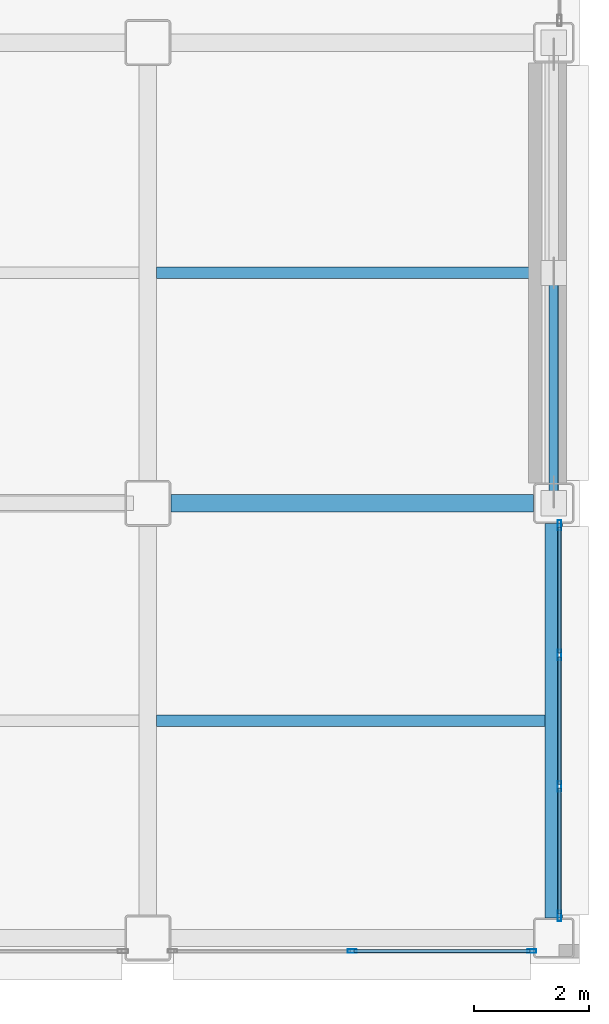
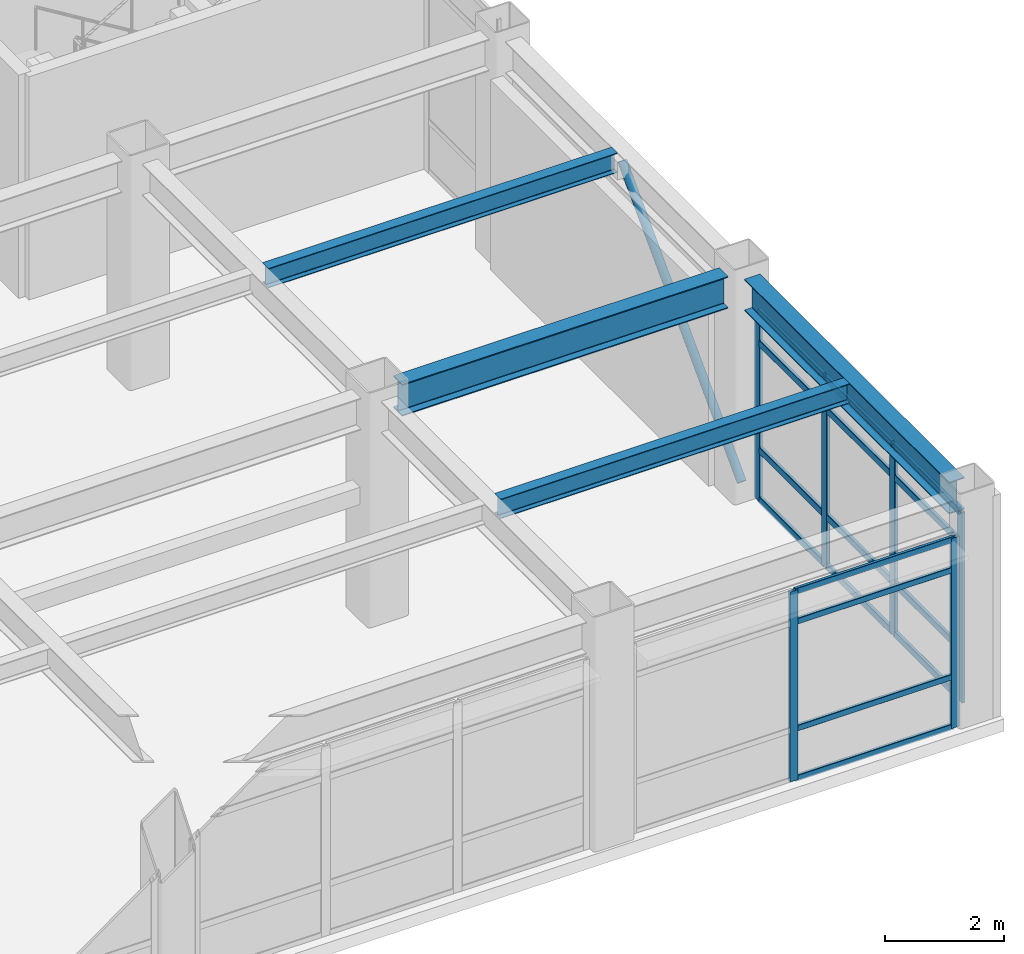
# One storey, part 87 of 154: 23 members, 4 beams, 2 elements without a shape of their own.
"""IFC4 building model written with IfcOpenShell, lengths in metres."""

from ifc_helpers import new_model, si_unit, direction, frame, origin, origin_2d, place, context, subcontext, project, spatial, hollow_rectangle, hollow_circle, i_section, extrude, material, layer, layer_set, material_profile, profile_set, type_object, element, aggregate, save


model = new_model("IFC4")

# Units and contexts
model_context = context("Model", 3, precision=1e-05, world=origin(), true_north=direction((0.0, 1.0)))
body_context = subcontext(model_context, "Body", "Model", "MODEL_VIEW")
ifc_project = project(units=[si_unit("LENGTHUNIT", "METRE"), si_unit("AREAUNIT", "SQUARE_METRE"), si_unit("VOLUMEUNIT", "CUBIC_METRE"), si_unit("PLANEANGLEUNIT", "RADIAN"), si_unit("MASSUNIT", "GRAM", prefix="KILO")], contexts=[model_context])

# Site, building, storey
site_placement = place(None, origin())
site = spatial("IfcSite", under=ifc_project, at=site_placement, CompositionType="ELEMENT")
building_placement = place(site_placement, origin())
building = spatial("IfcBuilding", under=site, at=building_placement, Name="Kazehara Bluff Congress Hotel", CompositionType="ELEMENT")
storey_placement = place(building_placement, frame((0.0, 0.0, 10.199951171875)))
storey = spatial("IfcBuildingStorey", under=building, at=storey_placement, Name="L02", CompositionType="ELEMENT", Elevation=10.199951171875)

# Member
ifc_material_1 = material(Name="Steel STK490", Category="steel")
ifc_material_profile_1 = material_profile(ifc_material_1, hollow_circle(Radius=0.08251953125, WallThickness=0.007080078125, at=origin_2d()))
ifc_profile_set_1 = profile_set([ifc_material_profile_1], Name="Steel STK490")
member_type_1 = type_object("IfcMemberType", Name="TP-BR-02", PredefinedType="BRACE", material=ifc_profile_set_1)
member_1_placement = place(storey_placement, frame((167.550048828125, 8.0, 0.150146484375), z_axis=(0.0, 0.695275793679, 0.718743049166), x_axis=(-1.0, 0.0, 0.0)))
element("IfcMember", 1, at=member_1_placement, inside=storey, type_object=member_type_1, Name="L02 chevron brace BR-02 3", PredefinedType="BRACE", context=body_context, shape_type="SweptSolid", body=[
    extrude(hollow_circle(Radius=0.08251953125, WallThickness=0.007080078125, at=origin_2d()), origin(), (0.0, 0.0, 1.0), 5.753173828125),
])

# Curtain wall, members
ifc_material_2 = material(Name="Anodised aluminium", Category="aluminium")
ifc_layer_1 = layer(ifc_material_2, 0.159912109375)
ifc_layer_set_1 = layer_set([ifc_layer_1], Name="Anodised aluminium")
curtain_wall_type_1 = type_object("IfcCurtainWallType", Name="TP-CW-112", PredefinedType="NOTDEFINED", material=ifc_layer_set_1)
curtain_wall_1_placement = place(storey_placement, origin())
curtain_wall_1 = element("IfcCurtainWall", 2, at=curtain_wall_1_placement, inside=storey, type_object=curtain_wall_type_1, Name="L02 curtain wall CW-112 CW-ENC-V5-L02-16405-22", PredefinedType="NOTDEFINED")
ifc_material_3 = material(Name="Anodised aluminium", Category="aluminium")
ifc_material_profile_2 = material_profile(ifc_material_3, hollow_rectangle(XDim=0.06005859375, YDim=0.159912109375, WallThickness=0.00390625, InnerFilletRadius=0.00390625, OuterFilletRadius=0.008056640625, at=origin_2d()))
ifc_profile_set_2 = profile_set([ifc_material_profile_2], Name="Anodised aluminium")
member_type_2 = type_object("IfcMemberType", Name="TP-CWM-01", PredefinedType="MULLION", material=ifc_profile_set_2)
member_2_placement = place(storey_placement, frame((167.169921875, 0.219970703125, 0.0), z_axis=(0.0, 0.0, 1.0), x_axis=(0.0, -1.0, 0.0)))
member_2 = element("IfcMember", 3, at=member_2_placement, type_object=member_type_2, Name="CW-112 mullion 1", PredefinedType="MULLION", context=body_context, shape_type="SweptSolid", body=[
    extrude(hollow_rectangle(XDim=0.06005859375, YDim=0.159912109375, WallThickness=0.00390625, InnerFilletRadius=0.00390625, OuterFilletRadius=0.008056640625, at=origin_2d()), origin(), (0.0, 0.0, 1.0), 3.885009765625),
])
member_3_placement = place(storey_placement, frame((164.050048828125, 0.219970703125, 0.0), z_axis=(0.0, 0.0, 1.0), x_axis=(0.0, -1.0, 0.0)))
member_3 = element("IfcMember", 4, at=member_3_placement, type_object=member_type_2, Name="CW-112 mullion 2", PredefinedType="MULLION", context=body_context, shape_type="SweptSolid", body=[
    extrude(hollow_rectangle(XDim=0.06005859375, YDim=0.159912109375, WallThickness=0.00390625, InnerFilletRadius=0.00390625, OuterFilletRadius=0.008056640625, at=origin_2d()), origin(), (0.0, 0.0, 1.0), 3.885009765625),
])

ifc_material_4 = material(Name="Anodised aluminium", Category="aluminium")
ifc_layer_2 = layer(ifc_material_4, 0.159912109375)
ifc_layer_set_2 = layer_set([ifc_layer_2], Name="Anodised aluminium")
curtain_wall_type_2 = type_object("IfcCurtainWallType", Name="TP-CW-83", PredefinedType="NOTDEFINED", material=ifc_layer_set_2)
curtain_wall_2_placement = place(storey_placement, origin())
curtain_wall_2 = element("IfcCurtainWall", 5, at=curtain_wall_2_placement, inside=storey, type_object=curtain_wall_type_2, Name="L02 curtain wall CW-83 CW-ENC-V5-L02-16765-423", PredefinedType="NOTDEFINED")
ifc_material_5 = material(Name="Anodised aluminium", Category="aluminium")
ifc_material_profile_3 = material_profile(ifc_material_5, hollow_rectangle(XDim=0.06494140625, YDim=0.179931640625, WallThickness=0.00390625, InnerFilletRadius=0.00390625, OuterFilletRadius=0.008056640625, at=origin_2d()))
ifc_profile_set_3 = profile_set([ifc_material_profile_3], Name="Anodised aluminium")
member_type_3 = type_object("IfcMemberType", Name="TP-CWM-02", PredefinedType="MULLION", material=ifc_profile_set_3)
member_4_placement = place(storey_placement, frame((167.64990234375, 7.617431640625, 0.0), z_axis=(0.0, 0.0, 1.0), x_axis=(1.0, 0.0, 0.0)))
member_4 = element("IfcMember", 6, at=member_4_placement, type_object=member_type_3, Name="CW-83 mullion 1", PredefinedType="MULLION", context=body_context, shape_type="SweptSolid", body=[
    extrude(hollow_rectangle(XDim=0.06494140625, YDim=0.179931640625, WallThickness=0.00390625, InnerFilletRadius=0.00390625, OuterFilletRadius=0.008056640625, at=origin_2d()), origin(), (0.0, 0.0, 1.0), 3.885009765625),
])
member_5_placement = place(storey_placement, frame((167.64990234375, 5.36669921875, 0.0), z_axis=(0.0, 0.0, 1.0), x_axis=(1.0, 0.0, 0.0)))
member_5 = element("IfcMember", 7, at=member_5_placement, type_object=member_type_3, Name="CW-83 mullion 2", PredefinedType="MULLION", context=body_context, shape_type="SweptSolid", body=[
    extrude(hollow_rectangle(XDim=0.06494140625, YDim=0.179931640625, WallThickness=0.00390625, InnerFilletRadius=0.00390625, OuterFilletRadius=0.008056640625, at=origin_2d()), origin(), (0.0, 0.0, 1.0), 3.885009765625),
])
member_6_placement = place(storey_placement, frame((167.64990234375, 3.083251953125, 0.0), z_axis=(0.0, 0.0, 1.0), x_axis=(1.0, 0.0, 0.0)))
member_6 = element("IfcMember", 8, at=member_6_placement, type_object=member_type_3, Name="CW-83 mullion 3", PredefinedType="MULLION", context=body_context, shape_type="SweptSolid", body=[
    extrude(hollow_rectangle(XDim=0.06494140625, YDim=0.179931640625, WallThickness=0.00390625, InnerFilletRadius=0.00390625, OuterFilletRadius=0.008056640625, at=origin_2d()), origin(), (0.0, 0.0, 1.0), 3.885009765625),
])
member_7_placement = place(storey_placement, frame((167.64990234375, 0.83251953125, 0.0), z_axis=(0.0, 0.0, 1.0), x_axis=(1.0, 0.0, 0.0)))
member_7 = element("IfcMember", 9, at=member_7_placement, type_object=member_type_3, Name="CW-83 mullion 4", PredefinedType="MULLION", context=body_context, shape_type="SweptSolid", body=[
    extrude(hollow_rectangle(XDim=0.06494140625, YDim=0.179931640625, WallThickness=0.00390625, InnerFilletRadius=0.00390625, OuterFilletRadius=0.008056640625, at=origin_2d()), origin(), (0.0, 0.0, 1.0), 3.885009765625),
])

# Member
ifc_material_6 = material(Name="Anodised aluminium", Category="aluminium")
ifc_material_profile_4 = material_profile(ifc_material_6, hollow_rectangle(XDim=0.06005859375, YDim=0.1201171875, WallThickness=0.00390625, InnerFilletRadius=0.00390625, OuterFilletRadius=0.008056640625, at=origin_2d()))
ifc_profile_set_4 = profile_set([ifc_material_profile_4], Name="Anodised aluminium")
member_type_4 = type_object("IfcMemberType", Name="TP-CWT-01", PredefinedType="USERDEFINED", material=ifc_profile_set_4)
member_8_placement = place(storey_placement, frame((167.139892578125, 0.219970703125, 0.030029296875), z_axis=(-1.0, 0.0, 0.0), x_axis=(0.0, -1.0, 0.0)))
member_8 = element("IfcMember", 10, at=member_8_placement, type_object=member_type_4, Name="CW-112 transom 1.1", ObjectType="TRANSOM", PredefinedType="USERDEFINED", context=body_context, shape_type="SweptSolid", body=[
    extrude(hollow_rectangle(XDim=0.06005859375, YDim=0.1201171875, WallThickness=0.00390625, InnerFilletRadius=0.00390625, OuterFilletRadius=0.008056640625, at=origin_2d()), origin(), (0.0, 0.0, 1.0), 3.059814453125),
])

member_9_placement = place(storey_placement, frame((167.139892578125, 0.219970703125, 1.050048828125), z_axis=(-1.0, 0.0, 0.0), x_axis=(0.0, -1.0, 0.0)))
member_9 = element("IfcMember", 11, at=member_9_placement, type_object=member_type_4, Name="CW-112 transom 1.2", ObjectType="TRANSOM", PredefinedType="USERDEFINED", context=body_context, shape_type="SweptSolid", body=[
    extrude(hollow_rectangle(XDim=0.06005859375, YDim=0.1201171875, WallThickness=0.00390625, InnerFilletRadius=0.00390625, OuterFilletRadius=0.008056640625, at=origin_2d()), origin(), (0.0, 0.0, 1.0), 3.059814453125),
])

member_10_placement = place(storey_placement, frame((167.139892578125, 0.219970703125, 3.235107421875), z_axis=(-1.0, 0.0, 0.0), x_axis=(0.0, -1.0, 0.0)))
member_10 = element("IfcMember", 12, at=member_10_placement, type_object=member_type_4, Name="CW-112 transom 1.3", ObjectType="TRANSOM", PredefinedType="USERDEFINED", context=body_context, shape_type="SweptSolid", body=[
    extrude(hollow_rectangle(XDim=0.06005859375, YDim=0.1201171875, WallThickness=0.00390625, InnerFilletRadius=0.00390625, OuterFilletRadius=0.008056640625, at=origin_2d()), origin(), (0.0, 0.0, 1.0), 3.059814453125),
])

member_11_placement = place(storey_placement, frame((167.139892578125, 0.219970703125, 3.85498046875), z_axis=(-1.0, 0.0, 0.0), x_axis=(0.0, -1.0, 0.0)))
member_11 = element("IfcMember", 13, at=member_11_placement, type_object=member_type_4, Name="CW-112 transom 1.4", ObjectType="TRANSOM", PredefinedType="USERDEFINED", context=body_context, shape_type="SweptSolid", body=[
    extrude(hollow_rectangle(XDim=0.06005859375, YDim=0.1201171875, WallThickness=0.00390625, InnerFilletRadius=0.00390625, OuterFilletRadius=0.008056640625, at=origin_2d()), origin(), (0.0, 0.0, 1.0), 3.059814453125),
])

aggregate(curtain_wall_1, [member_2, member_3, member_8, member_9, member_10, member_11])

ifc_material_7 = material(Name="Anodised aluminium", Category="aluminium")
ifc_material_profile_5 = material_profile(ifc_material_7, hollow_rectangle(XDim=0.06494140625, YDim=0.139892578125, WallThickness=0.00390625, InnerFilletRadius=0.00390625, OuterFilletRadius=0.008056640625, at=origin_2d()))
ifc_profile_set_5 = profile_set([ifc_material_profile_5], Name="Anodised aluminium")
member_type_5 = type_object("IfcMemberType", Name="TP-CWT-02", PredefinedType="USERDEFINED", material=ifc_profile_set_5)
member_12_placement = place(storey_placement, frame((167.64990234375, 7.5849609375, 0.032470703125), z_axis=(0.0, -1.0, 0.0), x_axis=(1.0, 0.0, 0.0)))
member_12 = element("IfcMember", 14, at=member_12_placement, type_object=member_type_5, Name="CW-83 transom 1.1", ObjectType="TRANSOM", PredefinedType="USERDEFINED", context=body_context, shape_type="SweptSolid", body=[
    extrude(hollow_rectangle(XDim=0.06494140625, YDim=0.139892578125, WallThickness=0.00390625, InnerFilletRadius=0.00390625, OuterFilletRadius=0.008056640625, at=origin_2d()), origin(), (0.0, 0.0, 1.0), 2.185791015625),
])

member_13_placement = place(storey_placement, frame((167.64990234375, 7.5849609375, 1.050048828125), z_axis=(0.0, -1.0, 0.0), x_axis=(1.0, 0.0, 0.0)))
member_13 = element("IfcMember", 15, at=member_13_placement, type_object=member_type_5, Name="CW-83 transom 1.2", ObjectType="TRANSOM", PredefinedType="USERDEFINED", context=body_context, shape_type="SweptSolid", body=[
    extrude(hollow_rectangle(XDim=0.06494140625, YDim=0.139892578125, WallThickness=0.00390625, InnerFilletRadius=0.00390625, OuterFilletRadius=0.008056640625, at=origin_2d()), origin(), (0.0, 0.0, 1.0), 2.185791015625),
])

member_14_placement = place(storey_placement, frame((167.64990234375, 7.5849609375, 3.235107421875), z_axis=(0.0, -1.0, 0.0), x_axis=(1.0, 0.0, 0.0)))
member_14 = element("IfcMember", 16, at=member_14_placement, type_object=member_type_5, Name="CW-83 transom 1.3", ObjectType="TRANSOM", PredefinedType="USERDEFINED", context=body_context, shape_type="SweptSolid", body=[
    extrude(hollow_rectangle(XDim=0.06494140625, YDim=0.139892578125, WallThickness=0.00390625, InnerFilletRadius=0.00390625, OuterFilletRadius=0.008056640625, at=origin_2d()), origin(), (0.0, 0.0, 1.0), 2.185791015625),
])

member_15_placement = place(storey_placement, frame((167.64990234375, 7.5849609375, 3.8525390625), z_axis=(0.0, -1.0, 0.0), x_axis=(1.0, 0.0, 0.0)))
member_15 = element("IfcMember", 17, at=member_15_placement, type_object=member_type_5, Name="CW-83 transom 1.4", ObjectType="TRANSOM", PredefinedType="USERDEFINED", context=body_context, shape_type="SweptSolid", body=[
    extrude(hollow_rectangle(XDim=0.06494140625, YDim=0.139892578125, WallThickness=0.00390625, InnerFilletRadius=0.00390625, OuterFilletRadius=0.008056640625, at=origin_2d()), origin(), (0.0, 0.0, 1.0), 2.185791015625),
])

member_16_placement = place(storey_placement, frame((167.64990234375, 5.334228515625, 0.032470703125), z_axis=(0.0, -1.0, 0.0), x_axis=(1.0, 0.0, 0.0)))
member_16 = element("IfcMember", 18, at=member_16_placement, type_object=member_type_5, Name="CW-83 transom 2.1", ObjectType="TRANSOM", PredefinedType="USERDEFINED", context=body_context, shape_type="SweptSolid", body=[
    extrude(hollow_rectangle(XDim=0.06494140625, YDim=0.139892578125, WallThickness=0.00390625, InnerFilletRadius=0.00390625, OuterFilletRadius=0.008056640625, at=origin_2d()), origin(), (0.0, 0.0, 1.0), 2.218505859375),
])

member_17_placement = place(storey_placement, frame((167.64990234375, 5.334228515625, 1.050048828125), z_axis=(0.0, -1.0, 0.0), x_axis=(1.0, 0.0, 0.0)))
member_17 = element("IfcMember", 19, at=member_17_placement, type_object=member_type_5, Name="CW-83 transom 2.2", ObjectType="TRANSOM", PredefinedType="USERDEFINED", context=body_context, shape_type="SweptSolid", body=[
    extrude(hollow_rectangle(XDim=0.06494140625, YDim=0.139892578125, WallThickness=0.00390625, InnerFilletRadius=0.00390625, OuterFilletRadius=0.008056640625, at=origin_2d()), origin(), (0.0, 0.0, 1.0), 2.218505859375),
])

member_18_placement = place(storey_placement, frame((167.64990234375, 5.334228515625, 3.235107421875), z_axis=(0.0, -1.0, 0.0), x_axis=(1.0, 0.0, 0.0)))
member_18 = element("IfcMember", 20, at=member_18_placement, type_object=member_type_5, Name="CW-83 transom 2.3", ObjectType="TRANSOM", PredefinedType="USERDEFINED", context=body_context, shape_type="SweptSolid", body=[
    extrude(hollow_rectangle(XDim=0.06494140625, YDim=0.139892578125, WallThickness=0.00390625, InnerFilletRadius=0.00390625, OuterFilletRadius=0.008056640625, at=origin_2d()), origin(), (0.0, 0.0, 1.0), 2.218505859375),
])

member_19_placement = place(storey_placement, frame((167.64990234375, 5.334228515625, 3.8525390625), z_axis=(0.0, -1.0, 0.0), x_axis=(1.0, 0.0, 0.0)))
member_19 = element("IfcMember", 21, at=member_19_placement, type_object=member_type_5, Name="CW-83 transom 2.4", ObjectType="TRANSOM", PredefinedType="USERDEFINED", context=body_context, shape_type="SweptSolid", body=[
    extrude(hollow_rectangle(XDim=0.06494140625, YDim=0.139892578125, WallThickness=0.00390625, InnerFilletRadius=0.00390625, OuterFilletRadius=0.008056640625, at=origin_2d()), origin(), (0.0, 0.0, 1.0), 2.218505859375),
])

member_20_placement = place(storey_placement, frame((167.64990234375, 3.05078125, 0.032470703125), z_axis=(0.0, -1.0, 0.0), x_axis=(1.0, 0.0, 0.0)))
member_20 = element("IfcMember", 22, at=member_20_placement, type_object=member_type_5, Name="CW-83 transom 3.1", ObjectType="TRANSOM", PredefinedType="USERDEFINED", context=body_context, shape_type="SweptSolid", body=[
    extrude(hollow_rectangle(XDim=0.06494140625, YDim=0.139892578125, WallThickness=0.00390625, InnerFilletRadius=0.00390625, OuterFilletRadius=0.008056640625, at=origin_2d()), origin(), (0.0, 0.0, 1.0), 2.185791015625),
])

member_21_placement = place(storey_placement, frame((167.64990234375, 3.05078125, 1.050048828125), z_axis=(0.0, -1.0, 0.0), x_axis=(1.0, 0.0, 0.0)))
member_21 = element("IfcMember", 23, at=member_21_placement, type_object=member_type_5, Name="CW-83 transom 3.2", ObjectType="TRANSOM", PredefinedType="USERDEFINED", context=body_context, shape_type="SweptSolid", body=[
    extrude(hollow_rectangle(XDim=0.06494140625, YDim=0.139892578125, WallThickness=0.00390625, InnerFilletRadius=0.00390625, OuterFilletRadius=0.008056640625, at=origin_2d()), origin(), (0.0, 0.0, 1.0), 2.185791015625),
])

member_22_placement = place(storey_placement, frame((167.64990234375, 3.05078125, 3.235107421875), z_axis=(0.0, -1.0, 0.0), x_axis=(1.0, 0.0, 0.0)))
member_22 = element("IfcMember", 24, at=member_22_placement, type_object=member_type_5, Name="CW-83 transom 3.3", ObjectType="TRANSOM", PredefinedType="USERDEFINED", context=body_context, shape_type="SweptSolid", body=[
    extrude(hollow_rectangle(XDim=0.06494140625, YDim=0.139892578125, WallThickness=0.00390625, InnerFilletRadius=0.00390625, OuterFilletRadius=0.008056640625, at=origin_2d()), origin(), (0.0, 0.0, 1.0), 2.185791015625),
])

member_23_placement = place(storey_placement, frame((167.64990234375, 3.05078125, 3.8525390625), z_axis=(0.0, -1.0, 0.0), x_axis=(1.0, 0.0, 0.0)))
member_23 = element("IfcMember", 25, at=member_23_placement, type_object=member_type_5, Name="CW-83 transom 3.4", ObjectType="TRANSOM", PredefinedType="USERDEFINED", context=body_context, shape_type="SweptSolid", body=[
    extrude(hollow_rectangle(XDim=0.06494140625, YDim=0.139892578125, WallThickness=0.00390625, InnerFilletRadius=0.00390625, OuterFilletRadius=0.008056640625, at=origin_2d()), origin(), (0.0, 0.0, 1.0), 2.185791015625),
])

aggregate(curtain_wall_2, [member_4, member_5, member_6, member_7, member_12, member_13, member_14, member_15, member_16, member_17, member_18, member_19, member_20, member_21, member_22, member_23])

# Beams
ifc_material_8 = material(Name="Steel SN490B", Category="steel")
ifc_material_profile_6 = material_profile(ifc_material_8, i_section(OverallWidth=0.300048828125, OverallDepth=0.64990234375, WebThickness=0.011962890625, FlangeThickness=0.02001953125, FilletRadius=0.012939453125, at=origin_2d()))
ifc_profile_set_6 = profile_set([ifc_material_profile_6], Name="Steel SN490B")
beam_type_1 = type_object("IfcBeamType", Name="TP-G-03", PredefinedType="BEAM", material=ifc_profile_set_6)
beam_1_placement = place(storey_placement, frame((167.550048828125, 0.800048828125, 4.235107421875), z_axis=(0.0, 1.0, 0.0), x_axis=(-1.0, 0.0, 0.0)))
element("IfcBeam", 26, at=beam_1_placement, inside=storey, type_object=beam_type_1, Name="L02 girder G-03 169", PredefinedType="BEAM", context=body_context, shape_type="SweptSolid", body=[
    extrude(i_section(OverallWidth=0.300048828125, OverallDepth=0.64990234375, WebThickness=0.011962890625, FlangeThickness=0.02001953125, FilletRadius=0.012939453125, at=origin_2d()), origin(), (0.0, 0.0, 1.0), 6.849853515625),
])
beam_2_placement = place(storey_placement, frame((160.89990234375, 8.0, 4.235107421875), z_axis=(1.0, 0.0, 0.0), x_axis=(0.0, 1.0, 0.0)))
element("IfcBeam", 27, at=beam_2_placement, inside=storey, type_object=beam_type_1, Name="L02 girder G-03 185", PredefinedType="BEAM", context=body_context, shape_type="SweptSolid", body=[
    extrude(i_section(OverallWidth=0.300048828125, OverallDepth=0.64990234375, WebThickness=0.011962890625, FlangeThickness=0.02001953125, FilletRadius=0.012939453125, at=origin_2d()), origin(), (0.0, 0.0, 1.0), 6.300048828125),
])
ifc_material_9 = material(Name="Steel SN400B", Category="steel")
ifc_material_profile_7 = material_profile(ifc_material_9, i_section(OverallWidth=0.199951171875, OverallDepth=0.39990234375, WebThickness=0.008056640625, FlangeThickness=0.012939453125, FilletRadius=0.012939453125, at=origin_2d()))
ifc_profile_set_7 = profile_set([ifc_material_profile_7], Name="Steel SN400B")
beam_type_2 = type_object("IfcBeamType", Name="TP-J-03", PredefinedType="JOIST", material=ifc_profile_set_7)
for number, where, z_axis, x_axis, name in (
    (28, (160.64990234375, 4.22509765625, 4.360107421875), (1.0, 0.0, 0.0), (0.0, 1.0, 0.0), "L02 secondary joist J-03 43"),
    (29, (160.64990234375, 12.0, 4.360107421875), (1.0, 0.0, 0.0), (0.0, 1.0, 0.0), "L02 secondary joist J-03 44"),
):
    element("IfcBeam", number, at=place(storey_placement, frame(where, z_axis=z_axis, x_axis=x_axis)), inside=storey, type_object=beam_type_2, Name=name, PredefinedType="JOIST", context=body_context, shape_type="SweptSolid", body=[
        extrude(i_section(OverallWidth=0.199951171875, OverallDepth=0.39990234375, WebThickness=0.008056640625, FlangeThickness=0.012939453125, FilletRadius=0.012939453125, at=origin_2d()), origin(), (0.0, 0.0, 1.0), 6.75),
    ])

save(model, "model.ifc")
